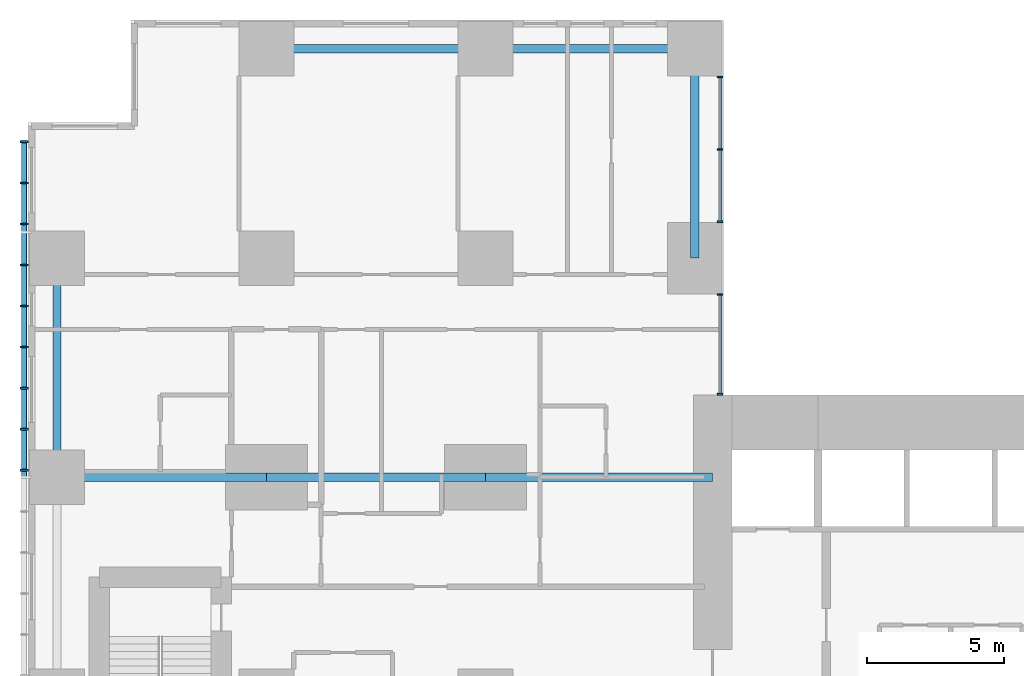
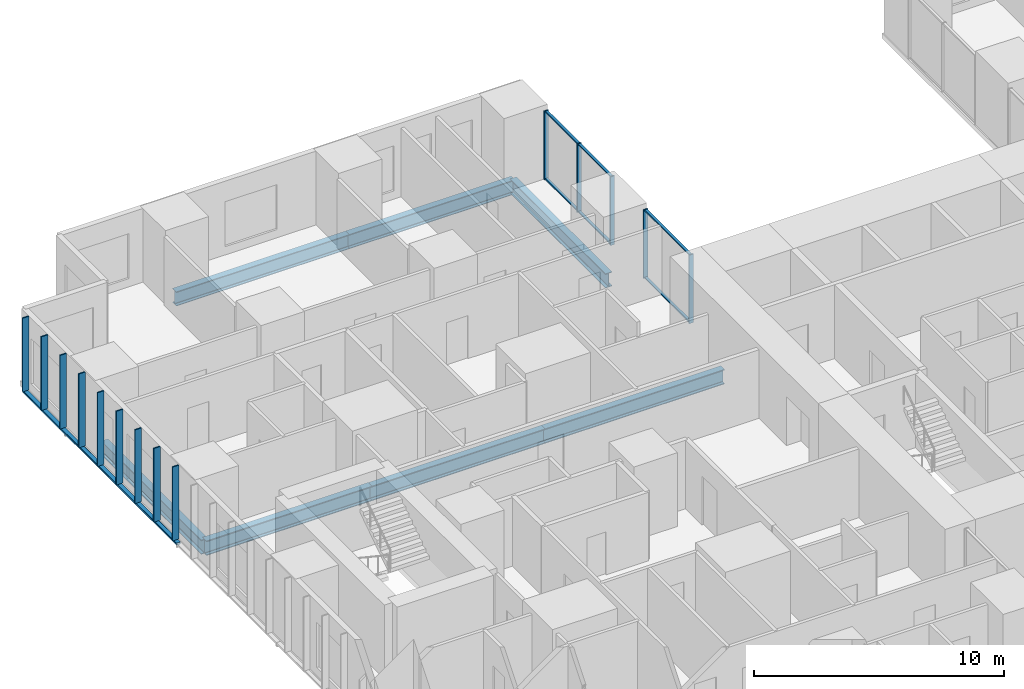
# One storey, part 4 of 20: 21 members, 7 beams, 2 elements without a shape of their own.
"""IFC4 building model written with IfcOpenShell, lengths in metres."""

from ifc_helpers import new_model, si_unit, direction, frame, origin, origin_2d, place, context, subcontext, project, spatial, rectangle, hollow_rectangle, i_section, extrude, material, layer, layer_set, material_profile, profile_set, type_object, element, aggregate, save


model = new_model("IFC4")

# Units and contexts
model_context = context("Model", 3, precision=1e-05, world=origin(), true_north=direction((0.0, 1.0)))
body_context = subcontext(model_context, "Body", "Model", "MODEL_VIEW")
ifc_project = project(units=[si_unit("LENGTHUNIT", "METRE"), si_unit("AREAUNIT", "SQUARE_METRE"), si_unit("VOLUMEUNIT", "CUBIC_METRE"), si_unit("PLANEANGLEUNIT", "RADIAN"), si_unit("MASSUNIT", "GRAM", prefix="KILO")], contexts=[model_context])

# Site, building, storey
site_placement = place(None, origin())
site = spatial("IfcSite", under=ifc_project, at=site_placement, CompositionType="ELEMENT")
building_placement = place(site_placement, origin())
building = spatial("IfcBuilding", under=site, at=building_placement, Name="Cleftline Residences", CompositionType="ELEMENT")
storey_placement = place(building_placement, frame((0.0, 0.0, 139.39990234375)))
storey = spatial("IfcBuildingStorey", under=building, at=storey_placement, Name="L36", CompositionType="ELEMENT", Elevation=139.39990234375)

# Member
ifc_material_1 = material(Name="Steel S355, hot-dip galvanised", Category="steel")
ifc_material_profile_1 = material_profile(ifc_material_1, hollow_rectangle(XDim=0.10009765625, YDim=0.199951171875, WallThickness=0.008056640625, InnerFilletRadius=0.008056640625, OuterFilletRadius=0.011962890625, at=origin_2d()))
ifc_profile_set_1 = profile_set([ifc_material_profile_1], Name="Steel S355, hot-dip galvanised")
member_type_1 = type_object("IfcMemberType", Name="BAGUETTE CARRIER RHS 200X100X8", PredefinedType="USERDEFINED", material=ifc_profile_set_1)
member_1_placement = place(storey_placement, frame((-0.85009765625, 44.300048828125, -0.0498046875), z_axis=(0.0, -1.0, 0.0), x_axis=(0.0, 0.0, 1.0)))
element("IfcMember", 1, at=member_1_placement, inside=storey, type_object=member_type_1, Name="Baguette carrier", ObjectType="BAGUETTE CARRIER", PredefinedType="USERDEFINED", context=body_context, shape_type="SweptSolid", body=[
    extrude(hollow_rectangle(XDim=0.10009765625, YDim=0.199951171875, WallThickness=0.008056640625, InnerFilletRadius=0.008056640625, OuterFilletRadius=0.011962890625, at=origin_2d()), origin(), (0.0, 0.0, 1.0), 12.300048828125),
])

# Beams
ifc_material_2 = material(Name="Steel S355", Category="steel")
ifc_material_profile_2 = material_profile(ifc_material_2, i_section(OverallWidth=0.300048828125, OverallDepth=0.699951171875, WebThickness=0.01708984375, FlangeThickness=0.031982421875, FilletRadius=0.027099609375, at=origin_2d()))
ifc_profile_set_2 = profile_set([ifc_material_profile_2], Name="Steel S355")
beam_type_1 = type_object("IfcBeamType", Name="BEAM HEB 700", PredefinedType="BEAM", material=ifc_profile_set_2)
for number, where, z_axis, x_axis, name in (
    (2, (0.35009765625, 32.0, -0.599853515625), (0.0, 1.0, 0.0), (-1.0, 0.0, 0.0), "Edge beam"),
    (3, (8.0, 47.64990234375, -0.599853515625), (1.0, 0.0, 0.0), (0.0, 1.0, 0.0), "Edge beam"),
):
    element("IfcBeam", number, at=place(storey_placement, frame(where, z_axis=z_axis, x_axis=x_axis)), inside=storey, type_object=beam_type_1, Name=name, PredefinedType="BEAM", context=body_context, shape_type="SweptSolid", body=[
        extrude(i_section(OverallWidth=0.300048828125, OverallDepth=0.699951171875, WebThickness=0.01708984375, FlangeThickness=0.031982421875, FilletRadius=0.027099609375, at=origin_2d()), origin(), (0.0, 0.0, 1.0), 8.0),
    ])
for number, where, z_axis, x_axis, name in (
    (4, (16.0, 47.64990234375, -0.599853515625), (1.0, 0.0, 0.0), (0.0, 1.0, 0.0), "Edge beam"),
    (5, (23.64990234375, 47.64990234375, -0.599853515625), (0.0, -1.0, 0.0), (1.0, 0.0, 0.0), "Edge beam"),
):
    element("IfcBeam", number, at=place(storey_placement, frame(where, z_axis=z_axis, x_axis=x_axis)), inside=storey, type_object=beam_type_1, Name=name, PredefinedType="BEAM", context=body_context, shape_type="SweptSolid", body=[
        extrude(i_section(OverallWidth=0.300048828125, OverallDepth=0.699951171875, WebThickness=0.01708984375, FlangeThickness=0.031982421875, FilletRadius=0.027099609375, at=origin_2d()), origin(), (0.0, 0.0, 1.0), 7.64990234375),
    ])
ifc_material_3 = material(Name="Steel S355", Category="steel")
ifc_material_profile_3 = material_profile(ifc_material_3, i_section(OverallWidth=0.303955078125, OverallDepth=0.716064453125, WebThickness=0.02099609375, FlangeThickness=0.0400390625, FilletRadius=0.027099609375, at=origin_2d()))
ifc_profile_set_3 = profile_set([ifc_material_profile_3], Name="Steel S355")
beam_type_2 = type_object("IfcBeamType", Name="BEAM HEM 700", PredefinedType="BEAM", material=ifc_profile_set_3)
beam_1_placement = place(storey_placement, frame((0.35009765625, 32.0, -0.60791015625), z_axis=(1.0, 0.0, 0.0), x_axis=(0.0, 1.0, 0.0)))
element("IfcBeam", 6, at=beam_1_placement, inside=storey, type_object=beam_type_2, Name="Band beam", PredefinedType="BEAM", context=body_context, shape_type="SweptSolid", body=[
    extrude(i_section(OverallWidth=0.303955078125, OverallDepth=0.716064453125, WebThickness=0.02099609375, FlangeThickness=0.0400390625, FilletRadius=0.027099609375, at=origin_2d()), origin(), (0.0, 0.0, 1.0), 7.64990234375),
])
beam_2_placement = place(storey_placement, frame((8.0, 32.0, -0.60791015625), z_axis=(1.0, 0.0, 0.0), x_axis=(0.0, 1.0, 0.0)))
element("IfcBeam", 7, at=beam_2_placement, inside=storey, type_object=beam_type_2, Name="Band beam", PredefinedType="BEAM", context=body_context, shape_type="SweptSolid", body=[
    extrude(i_section(OverallWidth=0.303955078125, OverallDepth=0.716064453125, WebThickness=0.02099609375, FlangeThickness=0.0400390625, FilletRadius=0.027099609375, at=origin_2d()), origin(), (0.0, 0.0, 1.0), 8.0),
])
beam_3_placement = place(storey_placement, frame((16.0, 32.0, -0.60791015625), z_axis=(1.0, 0.0, 0.0), x_axis=(0.0, 1.0, 0.0)))
element("IfcBeam", 8, at=beam_3_placement, inside=storey, type_object=beam_type_2, Name="Band beam", PredefinedType="BEAM", context=body_context, shape_type="SweptSolid", body=[
    extrude(i_section(OverallWidth=0.303955078125, OverallDepth=0.716064453125, WebThickness=0.02099609375, FlangeThickness=0.0400390625, FilletRadius=0.027099609375, at=origin_2d()), origin(), (0.0, 0.0, 1.0), 8.300048828125),
])

# Curtain wall, members
ifc_material_4 = material(Name="Aluminium framed curtain wall", Category="aluminium")
ifc_layer = layer(ifc_material_4, 0.199951171875)
ifc_layer_set = layer_set([ifc_layer], Name="CW1 CLEFT GLAZING")
curtain_wall_type = type_object("IfcCurtainWallType", Name="CW1 CLEFT GLAZING", PredefinedType="NOTDEFINED", material=ifc_layer_set)
curtain_wall_1_placement = place(storey_placement, origin())
curtain_wall_1 = element("IfcCurtainWall", 9, at=curtain_wall_1_placement, inside=storey, type_object=curtain_wall_type, Name="Curtain wall CW1", PredefinedType="NOTDEFINED")
ifc_material_5 = material(Name="Aluminium mullion", Category="aluminium")
ifc_material_profile_4 = material_profile(ifc_material_5, rectangle(XDim=0.199951171875, YDim=0.06005859375, at=origin_2d()))
ifc_profile_set_4 = profile_set([ifc_material_profile_4], Name="Aluminium mullion")
member_type_2 = type_object("IfcMemberType", Name="CW1 MULLION", PredefinedType="MULLION", material=ifc_profile_set_4)
member_2_placement = place(storey_placement, frame((24.574951171875, 35.030029296875, 0.0), z_axis=(0.0, 0.0, 1.0), x_axis=(-1.0, 0.0, 0.0)))
member_2 = element("IfcMember", 10, at=member_2_placement, type_object=member_type_2, Name="CW1 mullion 1", PredefinedType="MULLION", context=body_context, shape_type="SweptSolid", body=[
    extrude(rectangle(XDim=0.199951171875, YDim=0.06005859375, at=origin_2d()), origin(), (0.0, 0.0, 1.0), 3.35009765625),
])
member_3_placement = place(storey_placement, frame((24.574951171875, 38.669921875, 0.0), z_axis=(0.0, 0.0, 1.0), x_axis=(-1.0, 0.0, 0.0)))
member_3 = element("IfcMember", 11, at=member_3_placement, type_object=member_type_2, Name="CW1 mullion 2", PredefinedType="MULLION", context=body_context, shape_type="SweptSolid", body=[
    extrude(rectangle(XDim=0.199951171875, YDim=0.06005859375, at=origin_2d()), origin(), (0.0, 0.0, 1.0), 3.35009765625),
])

curtain_wall_2_placement = place(storey_placement, origin())
curtain_wall_2 = element("IfcCurtainWall", 12, at=curtain_wall_2_placement, inside=storey, type_object=curtain_wall_type, Name="Curtain wall CW1", PredefinedType="NOTDEFINED")
member_4_placement = place(storey_placement, frame((24.574951171875, 41.330078125, 0.0), z_axis=(0.0, 0.0, 1.0), x_axis=(-1.0, 0.0, 0.0)))
member_4 = element("IfcMember", 13, at=member_4_placement, type_object=member_type_2, Name="CW1 mullion 1", PredefinedType="MULLION", context=body_context, shape_type="SweptSolid", body=[
    extrude(rectangle(XDim=0.199951171875, YDim=0.06005859375, at=origin_2d()), origin(), (0.0, 0.0, 1.0), 3.35009765625),
])
member_5_placement = place(storey_placement, frame((24.574951171875, 43.97509765625, 0.0), z_axis=(0.0, 0.0, 1.0), x_axis=(-1.0, 0.0, 0.0)))
member_5 = element("IfcMember", 14, at=member_5_placement, type_object=member_type_2, Name="CW1 mullion 2", PredefinedType="MULLION", context=body_context, shape_type="SweptSolid", body=[
    extrude(rectangle(XDim=0.199951171875, YDim=0.06005859375, at=origin_2d()), origin(), (0.0, 0.0, 1.0), 3.35009765625),
])
member_6_placement = place(storey_placement, frame((24.574951171875, 46.6201171875, 0.0), z_axis=(0.0, 0.0, 1.0), x_axis=(-1.0, 0.0, 0.0)))
member_6 = element("IfcMember", 15, at=member_6_placement, type_object=member_type_2, Name="CW1 mullion 3", PredefinedType="MULLION", context=body_context, shape_type="SweptSolid", body=[
    extrude(rectangle(XDim=0.199951171875, YDim=0.06005859375, at=origin_2d()), origin(), (0.0, 0.0, 1.0), 3.35009765625),
])

# Member
ifc_material_6 = material(Name="Aluminium transom", Category="aluminium")
ifc_material_profile_5 = material_profile(ifc_material_6, rectangle(XDim=0.1201171875, YDim=0.06005859375, at=origin_2d()))
ifc_profile_set_5 = profile_set([ifc_material_profile_5], Name="Aluminium transom")
member_type_3 = type_object("IfcMemberType", Name="CW1 TRANSOM", PredefinedType="USERDEFINED", material=ifc_profile_set_5)
member_7_placement = place(storey_placement, frame((24.574951171875, 35.06005859375, 0.030029296875), z_axis=(0.0, 1.0, 0.0), x_axis=(-1.0, 0.0, 0.0)))
member_7 = element("IfcMember", 16, at=member_7_placement, type_object=member_type_3, Name="CW1 transom 1.1", ObjectType="TRANSOM", PredefinedType="USERDEFINED", context=body_context, shape_type="SweptSolid", body=[
    extrude(rectangle(XDim=0.1201171875, YDim=0.06005859375, at=origin_2d()), origin(), (0.0, 0.0, 1.0), 3.579833984375),
])

member_8_placement = place(storey_placement, frame((24.574951171875, 35.06005859375, 3.320068359375), z_axis=(0.0, 1.0, 0.0), x_axis=(-1.0, 0.0, 0.0)))
member_8 = element("IfcMember", 17, at=member_8_placement, type_object=member_type_3, Name="CW1 transom 1.2", ObjectType="TRANSOM", PredefinedType="USERDEFINED", context=body_context, shape_type="SweptSolid", body=[
    extrude(rectangle(XDim=0.1201171875, YDim=0.06005859375, at=origin_2d()), origin(), (0.0, 0.0, 1.0), 3.579833984375),
])

aggregate(curtain_wall_1, [member_2, member_3, member_7, member_8])

member_9_placement = place(storey_placement, frame((24.574951171875, 41.360107421875, 0.030029296875), z_axis=(0.0, 1.0, 0.0), x_axis=(-1.0, 0.0, 0.0)))
member_9 = element("IfcMember", 18, at=member_9_placement, type_object=member_type_3, Name="CW1 transom 1.1", ObjectType="TRANSOM", PredefinedType="USERDEFINED", context=body_context, shape_type="SweptSolid", body=[
    extrude(rectangle(XDim=0.1201171875, YDim=0.06005859375, at=origin_2d()), origin(), (0.0, 0.0, 1.0), 2.5849609375),
])

member_10_placement = place(storey_placement, frame((24.574951171875, 41.360107421875, 3.320068359375), z_axis=(0.0, 1.0, 0.0), x_axis=(-1.0, 0.0, 0.0)))
member_10 = element("IfcMember", 19, at=member_10_placement, type_object=member_type_3, Name="CW1 transom 1.2", ObjectType="TRANSOM", PredefinedType="USERDEFINED", context=body_context, shape_type="SweptSolid", body=[
    extrude(rectangle(XDim=0.1201171875, YDim=0.06005859375, at=origin_2d()), origin(), (0.0, 0.0, 1.0), 2.5849609375),
])

member_11_placement = place(storey_placement, frame((24.574951171875, 44.0048828125, 0.030029296875), z_axis=(0.0, 1.0, 0.0), x_axis=(-1.0, 0.0, 0.0)))
member_11 = element("IfcMember", 20, at=member_11_placement, type_object=member_type_3, Name="CW1 transom 2.1", ObjectType="TRANSOM", PredefinedType="USERDEFINED", context=body_context, shape_type="SweptSolid", body=[
    extrude(rectangle(XDim=0.1201171875, YDim=0.06005859375, at=origin_2d()), origin(), (0.0, 0.0, 1.0), 2.585205078125),
])

member_12_placement = place(storey_placement, frame((24.574951171875, 44.0048828125, 3.320068359375), z_axis=(0.0, 1.0, 0.0), x_axis=(-1.0, 0.0, 0.0)))
member_12 = element("IfcMember", 21, at=member_12_placement, type_object=member_type_3, Name="CW1 transom 2.2", ObjectType="TRANSOM", PredefinedType="USERDEFINED", context=body_context, shape_type="SweptSolid", body=[
    extrude(rectangle(XDim=0.1201171875, YDim=0.06005859375, at=origin_2d()), origin(), (0.0, 0.0, 1.0), 2.585205078125),
])

aggregate(curtain_wall_2, [member_4, member_5, member_6, member_9, member_10, member_11, member_12])

# Members
ifc_material_7 = material(Name="Extruded terracotta", Category="masonry")
ifc_material_profile_6 = material_profile(ifc_material_7, rectangle(XDim=0.06005859375, YDim=0.300048828125, at=origin_2d()))
ifc_profile_set_6 = profile_set([ifc_material_profile_6], Name="Extruded terracotta")
member_type_4 = type_object("IfcMemberType", Name="TERRACOTTA BAGUETTE 60X300", PredefinedType="USERDEFINED", material=ifc_profile_set_6)
for number, where, z_axis, x_axis, name in (
    (22, (-0.85009765625, 44.25, 0.0), (0.0, 0.0, 1.0), (0.0, 1.0, 0.0), "Terracotta baguette"),
    (23, (-0.85009765625, 42.75, 0.0), (0.0, 0.0, 1.0), (0.0, 1.0, 0.0), "Terracotta baguette"),
    (24, (-0.85009765625, 41.25, 0.0), (0.0, 0.0, 1.0), (0.0, 1.0, 0.0), "Terracotta baguette"),
    (25, (-0.85009765625, 39.75, 0.0), (0.0, 0.0, 1.0), (0.0, 1.0, 0.0), "Terracotta baguette"),
    (26, (-0.85009765625, 38.25, 0.0), (0.0, 0.0, 1.0), (0.0, 1.0, 0.0), "Terracotta baguette"),
    (27, (-0.85009765625, 36.75, 0.0), (0.0, 0.0, 1.0), (0.0, 1.0, 0.0), "Terracotta baguette"),
    (28, (-0.85009765625, 35.25, 0.0), (0.0, 0.0, 1.0), (0.0, 1.0, 0.0), "Terracotta baguette"),
    (29, (-0.85009765625, 33.75, 0.0), (0.0, 0.0, 1.0), (0.0, 1.0, 0.0), "Terracotta baguette"),
    (30, (-0.85009765625, 32.25, 0.0), (0.0, 0.0, 1.0), (0.0, 1.0, 0.0), "Terracotta baguette"),
):
    element("IfcMember", number, at=place(storey_placement, frame(where, z_axis=z_axis, x_axis=x_axis)), inside=storey, type_object=member_type_4, Name=name, ObjectType="BAGUETTE", PredefinedType="USERDEFINED", context=body_context, shape_type="SweptSolid", body=[
        extrude(rectangle(XDim=0.06005859375, YDim=0.300048828125, at=origin_2d()), origin(), (0.0, 0.0, 1.0), 3.60009765625),
    ])

save(model, "model.ifc")
